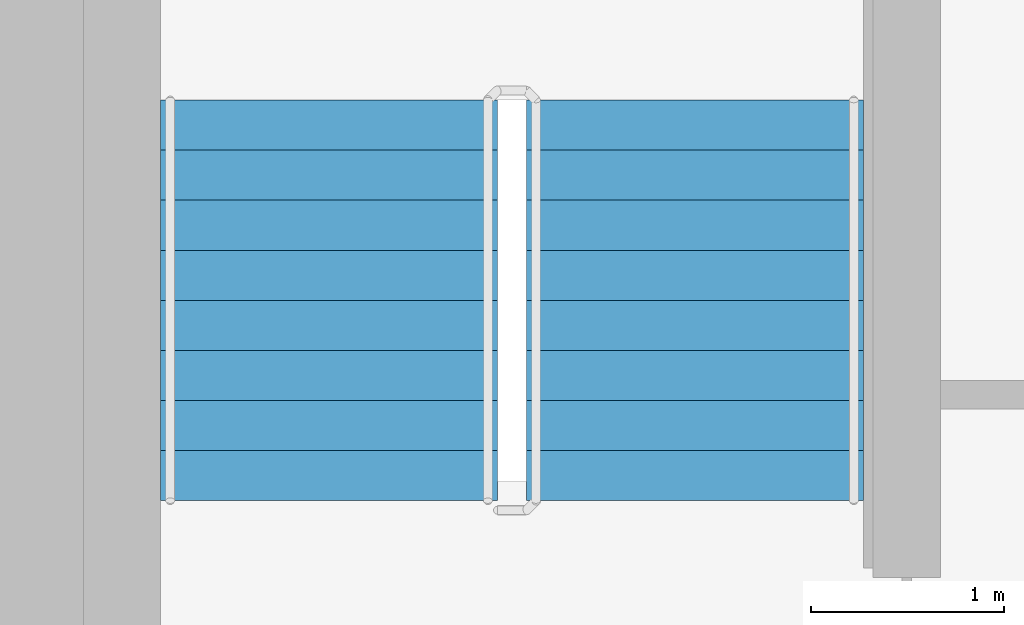
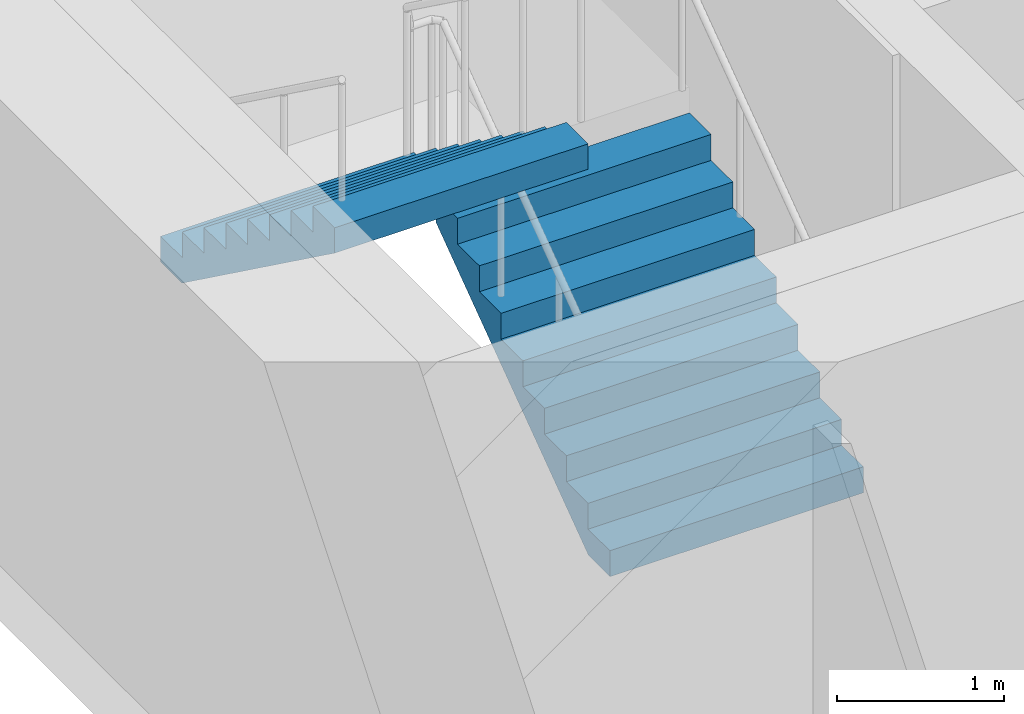
# One storey, part 16 of 19: 2 stair flights, 1 element without a shape of its own.
"""IFC4 building model written with IfcOpenShell, lengths in metres."""

from ifc_helpers import new_model, si_unit, direction, frame, origin, place, context, subcontext, project, spatial, faceted_brep, material, type_object, element, aggregate, save


model = new_model("IFC4")

# Units and contexts
model_context = context("Model", 3, precision=1e-05, world=origin(), true_north=direction((0.0, 1.0)))
body_context = subcontext(model_context, "Body", "Model", "MODEL_VIEW")
ifc_project = project(units=[si_unit("LENGTHUNIT", "METRE"), si_unit("AREAUNIT", "SQUARE_METRE"), si_unit("VOLUMEUNIT", "CUBIC_METRE"), si_unit("PLANEANGLEUNIT", "RADIAN"), si_unit("MASSUNIT", "GRAM", prefix="KILO")], contexts=[model_context])

# Site, building, storey
site_placement = place(None, origin())
site = spatial("IfcSite", under=ifc_project, at=site_placement, CompositionType="ELEMENT")
building_placement = place(site_placement, origin())
building = spatial("IfcBuilding", under=site, at=building_placement, Name="Ipe Terrace Towers", CompositionType="ELEMENT")
storey_placement = place(building_placement, frame((0.0, 0.0, 147.300048828125)))
storey = spatial("IfcBuildingStorey", under=building, at=storey_placement, Name="L40", CompositionType="ELEMENT", Elevation=147.300048828125)

# Stair, stair flights
ifc_material_1 = material(Name="Concrete C30/37", Category="concrete")
stair_type = type_object("IfcStairType", Name="Protected exit stair", PredefinedType="HALF_TURN_STAIR", material=ifc_material_1)
stair_placement = place(storey_placement, origin())
stair = element("IfcStair", 1, at=stair_placement, inside=storey, type_object=stair_type, Name="L40 Exit stair T2-C1", PredefinedType="HALF_TURN_STAIR")
ifc_material_2 = material(Name="Concrete C30/37", Category="concrete")
stair_flight_type = type_object("IfcStairFlightType", Name="Exit stair flight 1750", PredefinedType="STRAIGHT", material=ifc_material_2)
stair_flight_1_placement = place(storey_placement, frame((33.22509765625, 9.699951171875, 0.0), z_axis=(0.0, 0.0, 1.0), x_axis=(0.0, 1.0, 0.0)))
stair_flight_1 = element("IfcStairFlight", 2, at=stair_flight_1_placement, type_object=stair_flight_type, Name="T2-ST1 flight 1", NumberOfRisers=9, NumberOfTreads=8, PredefinedType="STRAIGHT", RiserHeight=0.188888889, TreadLength=0.26, context=body_context, shape_type="Brep", body=[
    faceted_brep([(0.255126953125, -0.875, 0.0), (2.080078125, -0.875, 1.325927734375), (2.080078125, -0.875, 1.51123046875), (1.820068359375, -0.875, 1.51123046875), (1.820068359375, -0.875, 1.322265625), (1.56005859375, -0.875, 1.322265625), (1.56005859375, -0.875, 1.13330078125), (1.300048828125, -0.875, 1.13330078125), (1.300048828125, -0.875, 0.9443359375), (1.0400390625, -0.875, 0.9443359375), (1.0400390625, -0.875, 0.755615234375), (0.780029296875, -0.875, 0.755615234375), (0.780029296875, -0.875, 0.566650390625), (0.52001953125, -0.875, 0.566650390625), (0.52001953125, -0.875, 0.377685546875), (0.260009765625, -0.875, 0.377685546875), (0.260009765625, -0.875, 0.18896484375), (0.0, -0.875, 0.18896484375), (0.0, -0.875, 0.0), (0.0, 0.875, 0.0), (0.0, 0.875, 0.18896484375), (0.260009765625, 0.875, 0.18896484375), (0.260009765625, 0.875, 0.377685546875), (0.52001953125, 0.875, 0.377685546875), (0.52001953125, 0.875, 0.566650390625), (0.780029296875, 0.875, 0.566650390625), (0.780029296875, 0.875, 0.755615234375), (1.0400390625, 0.875, 0.755615234375), (1.0400390625, 0.875, 0.9443359375), (1.300048828125, 0.875, 0.9443359375), (1.300048828125, 0.875, 1.13330078125), (1.56005859375, 0.875, 1.13330078125), (1.56005859375, 0.875, 1.322265625), (1.820068359375, 0.875, 1.322265625), (1.820068359375, 0.875, 1.51123046875), (2.080078125, 0.875, 1.51123046875), (2.080078125, 0.875, 1.325927734375), (0.255126953125, 0.875, 0.0), (0.0, -0.300048828125, 0.18896484375), (0.0, -0.1201171875, 0.18896484375), (0.0, -0.06005859375, 0.18896484375), (0.0, -0.030029296875, 0.18896484375), (0.0, -0.010009765625, 0.18896484375), (0.0, 0.0, 0.18896484375), (0.0, 0.010009765625, 0.18896484375), (0.0, 0.030029296875, 0.18896484375), (0.0, 0.06005859375, 0.18896484375), (0.0, 0.1201171875, 0.18896484375), (0.0, 0.300048828125, 0.18896484375), (0.0, 0.300048828125, 0.0), (0.0, 0.1201171875, 0.0), (0.0, 0.06005859375, 0.0), (0.0, 0.030029296875, 0.0), (0.0, 0.010009765625, 0.0), (0.0, 0.0, 0.0), (0.0, -0.010009765625, 0.0), (0.0, -0.030029296875, 0.0), (0.0, -0.06005859375, 0.0), (0.0, -0.1201171875, 0.0), (0.0, -0.300048828125, 0.0), (0.260009765625, -0.300048828125, 0.18896484375), (0.260009765625, -0.1201171875, 0.18896484375), (0.260009765625, -0.06005859375, 0.18896484375), (0.260009765625, -0.030029296875, 0.18896484375), (0.260009765625, -0.010009765625, 0.18896484375), (0.260009765625, 0.0, 0.18896484375), (0.260009765625, 0.010009765625, 0.18896484375), (0.260009765625, 0.030029296875, 0.18896484375), (0.260009765625, 0.06005859375, 0.18896484375), (0.260009765625, 0.1201171875, 0.18896484375), (0.260009765625, 0.300048828125, 0.18896484375), (0.260009765625, -0.300048828125, 0.377685546875), (0.260009765625, -0.1201171875, 0.377685546875), (0.260009765625, -0.06005859375, 0.377685546875), (0.260009765625, -0.030029296875, 0.377685546875), (0.260009765625, -0.010009765625, 0.377685546875), (0.260009765625, 0.0, 0.377685546875), (0.260009765625, 0.010009765625, 0.377685546875), (0.260009765625, 0.030029296875, 0.377685546875), (0.260009765625, 0.06005859375, 0.377685546875), (0.260009765625, 0.1201171875, 0.377685546875), (0.260009765625, 0.300048828125, 0.377685546875), (0.52001953125, -0.300048828125, 0.377685546875), (0.52001953125, -0.1201171875, 0.377685546875), (0.52001953125, -0.06005859375, 0.377685546875), (0.52001953125, -0.030029296875, 0.377685546875), (0.52001953125, -0.010009765625, 0.377685546875), (0.52001953125, 0.0, 0.377685546875), (0.52001953125, 0.010009765625, 0.377685546875), (0.52001953125, 0.030029296875, 0.377685546875), (0.52001953125, 0.06005859375, 0.377685546875), (0.52001953125, 0.1201171875, 0.377685546875), (0.52001953125, 0.300048828125, 0.377685546875), (0.52001953125, -0.300048828125, 0.566650390625), (0.52001953125, -0.1201171875, 0.566650390625), (0.52001953125, -0.06005859375, 0.566650390625), (0.52001953125, -0.030029296875, 0.566650390625), (0.52001953125, -0.010009765625, 0.566650390625), (0.52001953125, 0.0, 0.566650390625), (0.52001953125, 0.010009765625, 0.566650390625), (0.52001953125, 0.030029296875, 0.566650390625), (0.52001953125, 0.06005859375, 0.566650390625), (0.52001953125, 0.1201171875, 0.566650390625), (0.52001953125, 0.300048828125, 0.566650390625), (0.780029296875, -0.300048828125, 0.566650390625), (0.780029296875, -0.1201171875, 0.566650390625), (0.780029296875, -0.06005859375, 0.566650390625), (0.780029296875, -0.030029296875, 0.566650390625), (0.780029296875, -0.010009765625, 0.566650390625), (0.780029296875, 0.0, 0.566650390625), (0.780029296875, 0.010009765625, 0.566650390625), (0.780029296875, 0.030029296875, 0.566650390625), (0.780029296875, 0.06005859375, 0.566650390625), (0.780029296875, 0.1201171875, 0.566650390625), (0.780029296875, 0.300048828125, 0.566650390625), (0.780029296875, -0.300048828125, 0.755615234375), (0.780029296875, -0.1201171875, 0.755615234375), (0.780029296875, -0.06005859375, 0.755615234375), (0.780029296875, -0.030029296875, 0.755615234375), (0.780029296875, -0.010009765625, 0.755615234375), (0.780029296875, 0.0, 0.755615234375), (0.780029296875, 0.010009765625, 0.755615234375), (0.780029296875, 0.030029296875, 0.755615234375), (0.780029296875, 0.06005859375, 0.755615234375), (0.780029296875, 0.1201171875, 0.755615234375), (0.780029296875, 0.300048828125, 0.755615234375), (1.0400390625, -0.300048828125, 0.755615234375), (1.0400390625, -0.1201171875, 0.755615234375), (1.0400390625, -0.06005859375, 0.755615234375), (1.0400390625, -0.030029296875, 0.755615234375), (1.0400390625, -0.010009765625, 0.755615234375), (1.0400390625, 0.0, 0.755615234375), (1.0400390625, 0.010009765625, 0.755615234375), (1.0400390625, 0.030029296875, 0.755615234375), (1.0400390625, 0.06005859375, 0.755615234375), (1.0400390625, 0.1201171875, 0.755615234375), (1.0400390625, 0.300048828125, 0.755615234375), (1.0400390625, -0.300048828125, 0.9443359375), (1.0400390625, -0.1201171875, 0.9443359375), (1.0400390625, -0.06005859375, 0.9443359375), (1.0400390625, -0.030029296875, 0.9443359375), (1.0400390625, -0.010009765625, 0.9443359375), (1.0400390625, 0.0, 0.9443359375), (1.0400390625, 0.010009765625, 0.9443359375), (1.0400390625, 0.030029296875, 0.9443359375), (1.0400390625, 0.06005859375, 0.9443359375), (1.0400390625, 0.1201171875, 0.9443359375), (1.0400390625, 0.300048828125, 0.9443359375), (1.300048828125, -0.300048828125, 0.9443359375), (1.300048828125, -0.1201171875, 0.9443359375), (1.300048828125, -0.06005859375, 0.9443359375), (1.300048828125, -0.030029296875, 0.9443359375), (1.300048828125, -0.010009765625, 0.9443359375), (1.300048828125, 0.0, 0.9443359375), (1.300048828125, 0.010009765625, 0.9443359375), (1.300048828125, 0.030029296875, 0.9443359375), (1.300048828125, 0.06005859375, 0.9443359375), (1.300048828125, 0.1201171875, 0.9443359375), (1.300048828125, 0.300048828125, 0.9443359375), (1.300048828125, -0.300048828125, 1.13330078125), (1.300048828125, -0.1201171875, 1.13330078125), (1.300048828125, -0.06005859375, 1.13330078125), (1.300048828125, -0.030029296875, 1.13330078125), (1.300048828125, -0.010009765625, 1.13330078125), (1.300048828125, 0.0, 1.13330078125), (1.300048828125, 0.010009765625, 1.13330078125), (1.300048828125, 0.030029296875, 1.13330078125), (1.300048828125, 0.06005859375, 1.13330078125), (1.300048828125, 0.1201171875, 1.13330078125), (1.300048828125, 0.300048828125, 1.13330078125), (1.56005859375, -0.300048828125, 1.13330078125), (1.56005859375, -0.1201171875, 1.13330078125), (1.56005859375, -0.06005859375, 1.13330078125), (1.56005859375, -0.030029296875, 1.13330078125), (1.56005859375, -0.010009765625, 1.13330078125), (1.56005859375, 0.0, 1.13330078125), (1.56005859375, 0.010009765625, 1.13330078125), (1.56005859375, 0.030029296875, 1.13330078125), (1.56005859375, 0.06005859375, 1.13330078125), (1.56005859375, 0.1201171875, 1.13330078125), (1.56005859375, 0.300048828125, 1.13330078125), (1.56005859375, -0.300048828125, 1.322265625), (1.56005859375, -0.1201171875, 1.322265625), (1.56005859375, -0.06005859375, 1.322265625), (1.56005859375, -0.030029296875, 1.322265625), (1.56005859375, -0.010009765625, 1.322265625), (1.56005859375, 0.0, 1.322265625), (1.56005859375, 0.010009765625, 1.322265625), (1.56005859375, 0.030029296875, 1.322265625), (1.56005859375, 0.06005859375, 1.322265625), (1.56005859375, 0.1201171875, 1.322265625), (1.56005859375, 0.300048828125, 1.322265625), (1.820068359375, -0.300048828125, 1.322265625), (1.820068359375, -0.1201171875, 1.322265625), (1.820068359375, -0.06005859375, 1.322265625), (1.820068359375, -0.030029296875, 1.322265625), (1.820068359375, -0.010009765625, 1.322265625), (1.820068359375, 0.0, 1.322265625), (1.820068359375, 0.010009765625, 1.322265625), (1.820068359375, 0.030029296875, 1.322265625), (1.820068359375, 0.06005859375, 1.322265625), (1.820068359375, 0.1201171875, 1.322265625), (1.820068359375, 0.300048828125, 1.322265625), (1.820068359375, -0.300048828125, 1.51123046875), (1.820068359375, -0.1201171875, 1.51123046875), (1.820068359375, -0.06005859375, 1.51123046875), (1.820068359375, -0.030029296875, 1.51123046875), (1.820068359375, -0.010009765625, 1.51123046875), (1.820068359375, 0.0, 1.51123046875), (1.820068359375, 0.010009765625, 1.51123046875), (1.820068359375, 0.030029296875, 1.51123046875), (1.820068359375, 0.06005859375, 1.51123046875), (1.820068359375, 0.1201171875, 1.51123046875), (1.820068359375, 0.300048828125, 1.51123046875), (2.080078125, -0.300048828125, 1.51123046875), (2.080078125, -0.1201171875, 1.51123046875), (2.080078125, -0.06005859375, 1.51123046875), (2.080078125, -0.030029296875, 1.51123046875), (2.080078125, -0.010009765625, 1.51123046875), (2.080078125, 0.0, 1.51123046875), (2.080078125, 0.010009765625, 1.51123046875), (2.080078125, 0.030029296875, 1.51123046875), (2.080078125, 0.06005859375, 1.51123046875), (2.080078125, 0.1201171875, 1.51123046875), (2.080078125, 0.300048828125, 1.51123046875), (2.080078125, -0.300048828125, 1.325927734375), (2.080078125, -0.1201171875, 1.325927734375), (2.080078125, -0.06005859375, 1.325927734375), (2.080078125, -0.030029296875, 1.325927734375), (2.080078125, -0.010009765625, 1.325927734375), (2.080078125, 0.0, 1.325927734375), (2.080078125, 0.010009765625, 1.325927734375), (2.080078125, 0.030029296875, 1.325927734375), (2.080078125, 0.06005859375, 1.325927734375), (2.080078125, 0.1201171875, 1.325927734375), (2.080078125, 0.300048828125, 1.325927734375), (0.255126953125, -0.300048828125, 0.0), (0.255126953125, -0.1201171875, 0.0), (0.255126953125, -0.06005859375, 0.0), (0.255126953125, -0.030029296875, 0.0), (0.255126953125, -0.010009765625, 0.0), (0.255126953125, 0.0, 0.0), (0.255126953125, 0.010009765625, 0.0), (0.255126953125, 0.030029296875, 0.0), (0.255126953125, 0.06005859375, 0.0), (0.255126953125, 0.1201171875, 0.0), (0.255126953125, 0.300048828125, 0.0)], [[[0, 1, 2, 3, 4, 5, 6, 7, 8, 9, 10, 11, 12, 13, 14, 15, 16, 17, 18]], [[19, 20, 21, 22, 23, 24, 25, 26, 27, 28, 29, 30, 31, 32, 33, 34, 35, 36, 37]], [[17, 38, 39, 40, 41, 42, 43, 44, 45, 46, 47, 48, 20, 19, 49, 50, 51, 52, 53, 54, 55, 56, 57, 58, 59, 18]], [[16, 60, 61, 62, 63, 64, 65, 66, 67, 68, 69, 70, 21, 20, 48, 47, 46, 45, 44, 43, 42, 41, 40, 39, 38, 17]], [[15, 71, 72, 73, 74, 75, 76, 77, 78, 79, 80, 81, 22, 21, 70, 69, 68, 67, 66, 65, 64, 63, 62, 61, 60, 16]], [[14, 82, 83, 84, 85, 86, 87, 88, 89, 90, 91, 92, 23, 22, 81, 80, 79, 78, 77, 76, 75, 74, 73, 72, 71, 15]], [[13, 93, 94, 95, 96, 97, 98, 99, 100, 101, 102, 103, 24, 23, 92, 91, 90, 89, 88, 87, 86, 85, 84, 83, 82, 14]], [[12, 104, 105, 106, 107, 108, 109, 110, 111, 112, 113, 114, 25, 24, 103, 102, 101, 100, 99, 98, 97, 96, 95, 94, 93, 13]], [[11, 115, 116, 117, 118, 119, 120, 121, 122, 123, 124, 125, 26, 25, 114, 113, 112, 111, 110, 109, 108, 107, 106, 105, 104, 12]], [[10, 126, 127, 128, 129, 130, 131, 132, 133, 134, 135, 136, 27, 26, 125, 124, 123, 122, 121, 120, 119, 118, 117, 116, 115, 11]], [[9, 137, 138, 139, 140, 141, 142, 143, 144, 145, 146, 147, 28, 27, 136, 135, 134, 133, 132, 131, 130, 129, 128, 127, 126, 10]], [[8, 148, 149, 150, 151, 152, 153, 154, 155, 156, 157, 158, 29, 28, 147, 146, 145, 144, 143, 142, 141, 140, 139, 138, 137, 9]], [[7, 159, 160, 161, 162, 163, 164, 165, 166, 167, 168, 169, 30, 29, 158, 157, 156, 155, 154, 153, 152, 151, 150, 149, 148, 8]], [[6, 170, 171, 172, 173, 174, 175, 176, 177, 178, 179, 180, 31, 30, 169, 168, 167, 166, 165, 164, 163, 162, 161, 160, 159, 7]], [[5, 181, 182, 183, 184, 185, 186, 187, 188, 189, 190, 191, 32, 31, 180, 179, 178, 177, 176, 175, 174, 173, 172, 171, 170, 6]], [[4, 192, 193, 194, 195, 196, 197, 198, 199, 200, 201, 202, 33, 32, 191, 190, 189, 188, 187, 186, 185, 184, 183, 182, 181, 5]], [[3, 203, 204, 205, 206, 207, 208, 209, 210, 211, 212, 213, 34, 33, 202, 201, 200, 199, 198, 197, 196, 195, 194, 193, 192, 4]], [[2, 214, 215, 216, 217, 218, 219, 220, 221, 222, 223, 224, 35, 34, 213, 212, 211, 210, 209, 208, 207, 206, 205, 204, 203, 3]], [[1, 225, 226, 227, 228, 229, 230, 231, 232, 233, 234, 235, 36, 35, 224, 223, 222, 221, 220, 219, 218, 217, 216, 215, 214, 2]], [[0, 236, 237, 238, 239, 240, 241, 242, 243, 244, 245, 246, 37, 36, 235, 234, 233, 232, 231, 230, 229, 228, 227, 226, 225, 1]], [[18, 59, 58, 57, 56, 55, 54, 53, 52, 51, 50, 49, 19, 37, 246, 245, 244, 243, 242, 241, 240, 239, 238, 237, 236, 0]]]),
])
stair_flight_2_placement = place(storey_placement, frame((31.324951171875, 11.780029296875, 1.699951171875), z_axis=(0.0, 0.0, 1.0), x_axis=(0.0, -1.0, 0.0)))
stair_flight_2 = element("IfcStairFlight", 3, at=stair_flight_2_placement, type_object=stair_flight_type, Name="T2-ST1 flight 2", NumberOfRisers=9, NumberOfTreads=8, PredefinedType="STRAIGHT", RiserHeight=0.188888889, TreadLength=0.26, context=body_context, shape_type="Brep", body=[
    faceted_brep([(0.255126953125, -0.875, 0.0), (2.080078125, -0.875, 1.325927734375), (2.080078125, -0.875, 1.51123046875), (1.820068359375, -0.875, 1.51123046875), (1.820068359375, -0.875, 1.322265625), (1.56005859375, -0.875, 1.322265625), (1.56005859375, -0.875, 1.13330078125), (1.300048828125, -0.875, 1.13330078125), (1.300048828125, -0.875, 0.9443359375), (1.0400390625, -0.875, 0.9443359375), (1.0400390625, -0.875, 0.755615234375), (0.780029296875, -0.875, 0.755615234375), (0.780029296875, -0.875, 0.566650390625), (0.52001953125, -0.875, 0.566650390625), (0.52001953125, -0.875, 0.377685546875), (0.260009765625, -0.875, 0.377685546875), (0.260009765625, -0.875, 0.18896484375), (0.0, -0.875, 0.18896484375), (0.0, -0.875, 0.0), (0.0, 0.875, 0.0), (0.0, 0.875, 0.18896484375), (0.260009765625, 0.875, 0.18896484375), (0.260009765625, 0.875, 0.377685546875), (0.52001953125, 0.875, 0.377685546875), (0.52001953125, 0.875, 0.566650390625), (0.780029296875, 0.875, 0.566650390625), (0.780029296875, 0.875, 0.755615234375), (1.0400390625, 0.875, 0.755615234375), (1.0400390625, 0.875, 0.9443359375), (1.300048828125, 0.875, 0.9443359375), (1.300048828125, 0.875, 1.13330078125), (1.56005859375, 0.875, 1.13330078125), (1.56005859375, 0.875, 1.322265625), (1.820068359375, 0.875, 1.322265625), (1.820068359375, 0.875, 1.51123046875), (2.080078125, 0.875, 1.51123046875), (2.080078125, 0.875, 1.325927734375), (0.255126953125, 0.875, 0.0), (0.0, -0.300048828125, 0.18896484375), (0.0, -0.1201171875, 0.18896484375), (0.0, -0.06005859375, 0.18896484375), (0.0, -0.030029296875, 0.18896484375), (0.0, -0.010009765625, 0.18896484375), (0.0, 0.0, 0.18896484375), (0.0, 0.010009765625, 0.18896484375), (0.0, 0.030029296875, 0.18896484375), (0.0, 0.06005859375, 0.18896484375), (0.0, 0.1201171875, 0.18896484375), (0.0, 0.300048828125, 0.18896484375), (0.0, 0.300048828125, 0.0), (0.0, 0.1201171875, 0.0), (0.0, 0.06005859375, 0.0), (0.0, 0.030029296875, 0.0), (0.0, 0.010009765625, 0.0), (0.0, 0.0, 0.0), (0.0, -0.010009765625, 0.0), (0.0, -0.030029296875, 0.0), (0.0, -0.06005859375, 0.0), (0.0, -0.1201171875, 0.0), (0.0, -0.300048828125, 0.0), (0.260009765625, -0.300048828125, 0.18896484375), (0.260009765625, -0.1201171875, 0.18896484375), (0.260009765625, -0.06005859375, 0.18896484375), (0.260009765625, -0.030029296875, 0.18896484375), (0.260009765625, -0.010009765625, 0.18896484375), (0.260009765625, 0.0, 0.18896484375), (0.260009765625, 0.010009765625, 0.18896484375), (0.260009765625, 0.030029296875, 0.18896484375), (0.260009765625, 0.06005859375, 0.18896484375), (0.260009765625, 0.1201171875, 0.18896484375), (0.260009765625, 0.300048828125, 0.18896484375), (0.260009765625, -0.300048828125, 0.377685546875), (0.260009765625, -0.1201171875, 0.377685546875), (0.260009765625, -0.06005859375, 0.377685546875), (0.260009765625, -0.030029296875, 0.377685546875), (0.260009765625, -0.010009765625, 0.377685546875), (0.260009765625, 0.0, 0.377685546875), (0.260009765625, 0.010009765625, 0.377685546875), (0.260009765625, 0.030029296875, 0.377685546875), (0.260009765625, 0.06005859375, 0.377685546875), (0.260009765625, 0.1201171875, 0.377685546875), (0.260009765625, 0.300048828125, 0.377685546875), (0.52001953125, -0.300048828125, 0.377685546875), (0.52001953125, -0.1201171875, 0.377685546875), (0.52001953125, -0.06005859375, 0.377685546875), (0.52001953125, -0.030029296875, 0.377685546875), (0.52001953125, -0.010009765625, 0.377685546875), (0.52001953125, 0.0, 0.377685546875), (0.52001953125, 0.010009765625, 0.377685546875), (0.52001953125, 0.030029296875, 0.377685546875), (0.52001953125, 0.06005859375, 0.377685546875), (0.52001953125, 0.1201171875, 0.377685546875), (0.52001953125, 0.300048828125, 0.377685546875), (0.52001953125, -0.300048828125, 0.566650390625), (0.52001953125, -0.1201171875, 0.566650390625), (0.52001953125, -0.06005859375, 0.566650390625), (0.52001953125, -0.030029296875, 0.566650390625), (0.52001953125, -0.010009765625, 0.566650390625), (0.52001953125, 0.0, 0.566650390625), (0.52001953125, 0.010009765625, 0.566650390625), (0.52001953125, 0.030029296875, 0.566650390625), (0.52001953125, 0.06005859375, 0.566650390625), (0.52001953125, 0.1201171875, 0.566650390625), (0.52001953125, 0.300048828125, 0.566650390625), (0.780029296875, -0.300048828125, 0.566650390625), (0.780029296875, -0.1201171875, 0.566650390625), (0.780029296875, -0.06005859375, 0.566650390625), (0.780029296875, -0.030029296875, 0.566650390625), (0.780029296875, -0.010009765625, 0.566650390625), (0.780029296875, 0.0, 0.566650390625), (0.780029296875, 0.010009765625, 0.566650390625), (0.780029296875, 0.030029296875, 0.566650390625), (0.780029296875, 0.06005859375, 0.566650390625), (0.780029296875, 0.1201171875, 0.566650390625), (0.780029296875, 0.300048828125, 0.566650390625), (0.780029296875, -0.300048828125, 0.755615234375), (0.780029296875, -0.1201171875, 0.755615234375), (0.780029296875, -0.06005859375, 0.755615234375), (0.780029296875, -0.030029296875, 0.755615234375), (0.780029296875, -0.010009765625, 0.755615234375), (0.780029296875, 0.0, 0.755615234375), (0.780029296875, 0.010009765625, 0.755615234375), (0.780029296875, 0.030029296875, 0.755615234375), (0.780029296875, 0.06005859375, 0.755615234375), (0.780029296875, 0.1201171875, 0.755615234375), (0.780029296875, 0.300048828125, 0.755615234375), (1.0400390625, -0.300048828125, 0.755615234375), (1.0400390625, -0.1201171875, 0.755615234375), (1.0400390625, -0.06005859375, 0.755615234375), (1.0400390625, -0.030029296875, 0.755615234375), (1.0400390625, -0.010009765625, 0.755615234375), (1.0400390625, 0.0, 0.755615234375), (1.0400390625, 0.010009765625, 0.755615234375), (1.0400390625, 0.030029296875, 0.755615234375), (1.0400390625, 0.06005859375, 0.755615234375), (1.0400390625, 0.1201171875, 0.755615234375), (1.0400390625, 0.300048828125, 0.755615234375), (1.0400390625, -0.300048828125, 0.9443359375), (1.0400390625, -0.1201171875, 0.9443359375), (1.0400390625, -0.06005859375, 0.9443359375), (1.0400390625, -0.030029296875, 0.9443359375), (1.0400390625, -0.010009765625, 0.9443359375), (1.0400390625, 0.0, 0.9443359375), (1.0400390625, 0.010009765625, 0.9443359375), (1.0400390625, 0.030029296875, 0.9443359375), (1.0400390625, 0.06005859375, 0.9443359375), (1.0400390625, 0.1201171875, 0.9443359375), (1.0400390625, 0.300048828125, 0.9443359375), (1.300048828125, -0.300048828125, 0.9443359375), (1.300048828125, -0.1201171875, 0.9443359375), (1.300048828125, -0.06005859375, 0.9443359375), (1.300048828125, -0.030029296875, 0.9443359375), (1.300048828125, -0.010009765625, 0.9443359375), (1.300048828125, 0.0, 0.9443359375), (1.300048828125, 0.010009765625, 0.9443359375), (1.300048828125, 0.030029296875, 0.9443359375), (1.300048828125, 0.06005859375, 0.9443359375), (1.300048828125, 0.1201171875, 0.9443359375), (1.300048828125, 0.300048828125, 0.9443359375), (1.300048828125, -0.300048828125, 1.13330078125), (1.300048828125, -0.1201171875, 1.13330078125), (1.300048828125, -0.06005859375, 1.13330078125), (1.300048828125, -0.030029296875, 1.13330078125), (1.300048828125, -0.010009765625, 1.13330078125), (1.300048828125, 0.0, 1.13330078125), (1.300048828125, 0.010009765625, 1.13330078125), (1.300048828125, 0.030029296875, 1.13330078125), (1.300048828125, 0.06005859375, 1.13330078125), (1.300048828125, 0.1201171875, 1.13330078125), (1.300048828125, 0.300048828125, 1.13330078125), (1.56005859375, -0.300048828125, 1.13330078125), (1.56005859375, -0.1201171875, 1.13330078125), (1.56005859375, -0.06005859375, 1.13330078125), (1.56005859375, -0.030029296875, 1.13330078125), (1.56005859375, -0.010009765625, 1.13330078125), (1.56005859375, 0.0, 1.13330078125), (1.56005859375, 0.010009765625, 1.13330078125), (1.56005859375, 0.030029296875, 1.13330078125), (1.56005859375, 0.06005859375, 1.13330078125), (1.56005859375, 0.1201171875, 1.13330078125), (1.56005859375, 0.300048828125, 1.13330078125), (1.56005859375, -0.300048828125, 1.322265625), (1.56005859375, -0.1201171875, 1.322265625), (1.56005859375, -0.06005859375, 1.322265625), (1.56005859375, -0.030029296875, 1.322265625), (1.56005859375, -0.010009765625, 1.322265625), (1.56005859375, 0.0, 1.322265625), (1.56005859375, 0.010009765625, 1.322265625), (1.56005859375, 0.030029296875, 1.322265625), (1.56005859375, 0.06005859375, 1.322265625), (1.56005859375, 0.1201171875, 1.322265625), (1.56005859375, 0.300048828125, 1.322265625), (1.820068359375, -0.300048828125, 1.322265625), (1.820068359375, -0.1201171875, 1.322265625), (1.820068359375, -0.06005859375, 1.322265625), (1.820068359375, -0.030029296875, 1.322265625), (1.820068359375, -0.010009765625, 1.322265625), (1.820068359375, 0.0, 1.322265625), (1.820068359375, 0.010009765625, 1.322265625), (1.820068359375, 0.030029296875, 1.322265625), (1.820068359375, 0.06005859375, 1.322265625), (1.820068359375, 0.1201171875, 1.322265625), (1.820068359375, 0.300048828125, 1.322265625), (1.820068359375, -0.300048828125, 1.51123046875), (1.820068359375, -0.1201171875, 1.51123046875), (1.820068359375, -0.06005859375, 1.51123046875), (1.820068359375, -0.030029296875, 1.51123046875), (1.820068359375, -0.010009765625, 1.51123046875), (1.820068359375, 0.0, 1.51123046875), (1.820068359375, 0.010009765625, 1.51123046875), (1.820068359375, 0.030029296875, 1.51123046875), (1.820068359375, 0.06005859375, 1.51123046875), (1.820068359375, 0.1201171875, 1.51123046875), (1.820068359375, 0.300048828125, 1.51123046875), (2.080078125, -0.300048828125, 1.51123046875), (2.080078125, -0.1201171875, 1.51123046875), (2.080078125, -0.06005859375, 1.51123046875), (2.080078125, -0.030029296875, 1.51123046875), (2.080078125, -0.010009765625, 1.51123046875), (2.080078125, 0.0, 1.51123046875), (2.080078125, 0.010009765625, 1.51123046875), (2.080078125, 0.030029296875, 1.51123046875), (2.080078125, 0.06005859375, 1.51123046875), (2.080078125, 0.1201171875, 1.51123046875), (2.080078125, 0.300048828125, 1.51123046875), (2.080078125, -0.300048828125, 1.325927734375), (2.080078125, -0.1201171875, 1.325927734375), (2.080078125, -0.06005859375, 1.325927734375), (2.080078125, -0.030029296875, 1.325927734375), (2.080078125, -0.010009765625, 1.325927734375), (2.080078125, 0.0, 1.325927734375), (2.080078125, 0.010009765625, 1.325927734375), (2.080078125, 0.030029296875, 1.325927734375), (2.080078125, 0.06005859375, 1.325927734375), (2.080078125, 0.1201171875, 1.325927734375), (2.080078125, 0.300048828125, 1.325927734375), (0.255126953125, -0.300048828125, 0.0), (0.255126953125, -0.1201171875, 0.0), (0.255126953125, -0.06005859375, 0.0), (0.255126953125, -0.030029296875, 0.0), (0.255126953125, -0.010009765625, 0.0), (0.255126953125, 0.0, 0.0), (0.255126953125, 0.010009765625, 0.0), (0.255126953125, 0.030029296875, 0.0), (0.255126953125, 0.06005859375, 0.0), (0.255126953125, 0.1201171875, 0.0), (0.255126953125, 0.300048828125, 0.0)], [[[0, 1, 2, 3, 4, 5, 6, 7, 8, 9, 10, 11, 12, 13, 14, 15, 16, 17, 18]], [[19, 20, 21, 22, 23, 24, 25, 26, 27, 28, 29, 30, 31, 32, 33, 34, 35, 36, 37]], [[17, 38, 39, 40, 41, 42, 43, 44, 45, 46, 47, 48, 20, 19, 49, 50, 51, 52, 53, 54, 55, 56, 57, 58, 59, 18]], [[16, 60, 61, 62, 63, 64, 65, 66, 67, 68, 69, 70, 21, 20, 48, 47, 46, 45, 44, 43, 42, 41, 40, 39, 38, 17]], [[15, 71, 72, 73, 74, 75, 76, 77, 78, 79, 80, 81, 22, 21, 70, 69, 68, 67, 66, 65, 64, 63, 62, 61, 60, 16]], [[14, 82, 83, 84, 85, 86, 87, 88, 89, 90, 91, 92, 23, 22, 81, 80, 79, 78, 77, 76, 75, 74, 73, 72, 71, 15]], [[13, 93, 94, 95, 96, 97, 98, 99, 100, 101, 102, 103, 24, 23, 92, 91, 90, 89, 88, 87, 86, 85, 84, 83, 82, 14]], [[12, 104, 105, 106, 107, 108, 109, 110, 111, 112, 113, 114, 25, 24, 103, 102, 101, 100, 99, 98, 97, 96, 95, 94, 93, 13]], [[11, 115, 116, 117, 118, 119, 120, 121, 122, 123, 124, 125, 26, 25, 114, 113, 112, 111, 110, 109, 108, 107, 106, 105, 104, 12]], [[10, 126, 127, 128, 129, 130, 131, 132, 133, 134, 135, 136, 27, 26, 125, 124, 123, 122, 121, 120, 119, 118, 117, 116, 115, 11]], [[9, 137, 138, 139, 140, 141, 142, 143, 144, 145, 146, 147, 28, 27, 136, 135, 134, 133, 132, 131, 130, 129, 128, 127, 126, 10]], [[8, 148, 149, 150, 151, 152, 153, 154, 155, 156, 157, 158, 29, 28, 147, 146, 145, 144, 143, 142, 141, 140, 139, 138, 137, 9]], [[7, 159, 160, 161, 162, 163, 164, 165, 166, 167, 168, 169, 30, 29, 158, 157, 156, 155, 154, 153, 152, 151, 150, 149, 148, 8]], [[6, 170, 171, 172, 173, 174, 175, 176, 177, 178, 179, 180, 31, 30, 169, 168, 167, 166, 165, 164, 163, 162, 161, 160, 159, 7]], [[5, 181, 182, 183, 184, 185, 186, 187, 188, 189, 190, 191, 32, 31, 180, 179, 178, 177, 176, 175, 174, 173, 172, 171, 170, 6]], [[4, 192, 193, 194, 195, 196, 197, 198, 199, 200, 201, 202, 33, 32, 191, 190, 189, 188, 187, 186, 185, 184, 183, 182, 181, 5]], [[3, 203, 204, 205, 206, 207, 208, 209, 210, 211, 212, 213, 34, 33, 202, 201, 200, 199, 198, 197, 196, 195, 194, 193, 192, 4]], [[2, 214, 215, 216, 217, 218, 219, 220, 221, 222, 223, 224, 35, 34, 213, 212, 211, 210, 209, 208, 207, 206, 205, 204, 203, 3]], [[1, 225, 226, 227, 228, 229, 230, 231, 232, 233, 234, 235, 36, 35, 224, 223, 222, 221, 220, 219, 218, 217, 216, 215, 214, 2]], [[0, 236, 237, 238, 239, 240, 241, 242, 243, 244, 245, 246, 37, 36, 235, 234, 233, 232, 231, 230, 229, 228, 227, 226, 225, 1]], [[18, 59, 58, 57, 56, 55, 54, 53, 52, 51, 50, 49, 19, 37, 246, 245, 244, 243, 242, 241, 240, 239, 238, 237, 236, 0]]]),
])
aggregate(stair, [stair_flight_1, stair_flight_2])

save(model, "model.ifc")
